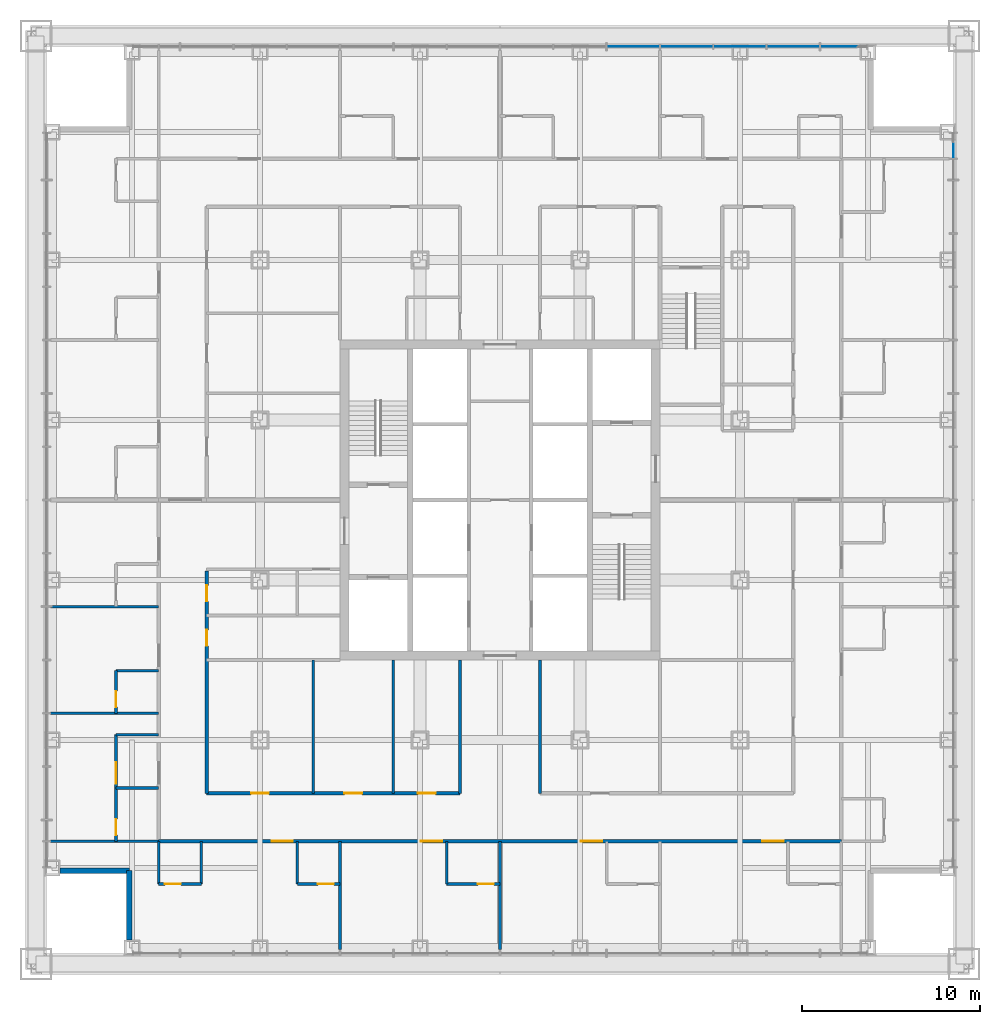
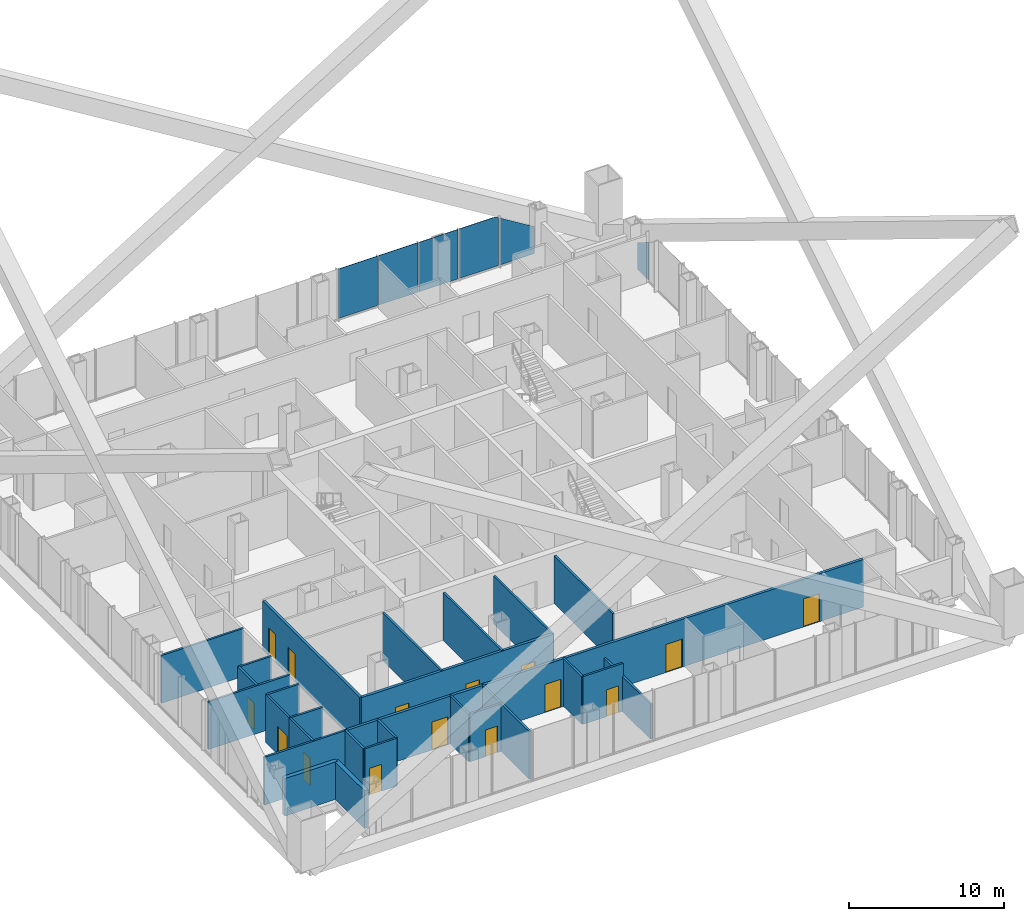
# One storey, part 12 of 21: 27 walls, 15 doors, 6 plates, 15 openings, 2 elements without a shape of their own.
"""IFC4 building model written with IfcOpenShell, lengths in metres."""

from ifc_helpers import new_model, si_unit, direction, frame, frame_2d, origin, origin_2d, place, context, subcontext, project, spatial, polyline, rectangle, outline, extrude, material, layer, layer_set, type_object, element, fill, aggregate, save


model = new_model("IFC4")

# Units and contexts
model_context = context("Model", 3, precision=1e-05, world=origin(), true_north=direction((0.0, 1.0)))
body_context = subcontext(model_context, "Body", "Model", "MODEL_VIEW")
ifc_project = project(units=[si_unit("LENGTHUNIT", "METRE"), si_unit("AREAUNIT", "SQUARE_METRE"), si_unit("VOLUMEUNIT", "CUBIC_METRE"), si_unit("PLANEANGLEUNIT", "RADIAN"), si_unit("MASSUNIT", "GRAM", prefix="KILO")], contexts=[model_context])

# Site, building, storey
site_placement = place(None, origin())
site = spatial("IfcSite", under=ifc_project, at=site_placement, CompositionType="ELEMENT")
building_placement = place(site_placement, origin())
building = spatial("IfcBuilding", under=site, at=building_placement, Name="Malebo Sky Hospital", CompositionType="ELEMENT")
storey_placement = place(building_placement, frame((0.0, 0.0, 63.0)))
storey = spatial("IfcBuildingStorey", under=building, at=storey_placement, Name="L14", CompositionType="ELEMENT", Elevation=63.0)

# Curtain wall, plates
ifc_material_1 = material(Name="Anodised aluminium, natural silver", Category="aluminium")
ifc_layer_1 = layer(ifc_material_1, 0.25)
ifc_layer_set_1 = layer_set([ifc_layer_1], Name="WARD CURTAIN WALL NORTH AND SOUTH")
curtain_wall_type_1 = type_object("IfcCurtainWallType", Name="WARD CURTAIN WALL NORTH AND SOUTH", PredefinedType="NOTDEFINED", material=ifc_layer_set_1)
curtain_wall_1_placement = place(storey_placement, origin())
curtain_wall_1 = element("IfcCurtainWall", 1, at=curtain_wall_1_placement, inside=storey, type_object=curtain_wall_type_1, Name="NS curtain wall N", PredefinedType="NOTDEFINED")
ifc_material_2 = material(Name="Clear low-iron double glazing", Category="glass")
ifc_layer_2 = layer(ifc_material_2, 0.031982421875)
ifc_layer_set_2 = layer_set([ifc_layer_2], Name="VISION PANEL CLEAR 32")
plate_type = type_object("IfcPlateType", Name="VISION PANEL CLEAR 32", PredefinedType="CURTAIN_PANEL", material=ifc_layer_set_2)
plate_1_placement = place(storey_placement, frame((67.5, 87.5, 0.10009765625), z_axis=(0.0, 0.0, 1.0), x_axis=(1.0, 0.0, 0.0)))
plate_1 = element("IfcPlate", 2, at=plate_1_placement, type_object=plate_type, Name="Panel 11", PredefinedType="CURTAIN_PANEL", context=body_context, shape_type="SweptSolid", body=[
    extrude(rectangle(XDim=2.925048828125, YDim=0.031982421875, at=origin_2d()), origin(), (0.0, 0.0, 1.0), 3.889892578125),
])
plate_2_placement = place(storey_placement, frame((70.5, 87.5, 0.10009765625), z_axis=(0.0, 0.0, 1.0), x_axis=(1.0, 0.0, 0.0)))
plate_2 = element("IfcPlate", 3, at=plate_2_placement, type_object=plate_type, Name="Panel 12", PredefinedType="CURTAIN_PANEL", context=body_context, shape_type="SweptSolid", body=[
    extrude(rectangle(XDim=2.925048828125, YDim=0.031982421875, at=origin_2d()), origin(), (0.0, 0.0, 1.0), 3.889892578125),
])
plate_3_placement = place(storey_placement, frame((73.5, 87.5, 0.10009765625), z_axis=(0.0, 0.0, 1.0), x_axis=(1.0, 0.0, 0.0)))
plate_3 = element("IfcPlate", 4, at=plate_3_placement, type_object=plate_type, Name="Panel 13", PredefinedType="CURTAIN_PANEL", context=body_context, shape_type="SweptSolid", body=[
    extrude(rectangle(XDim=2.925048828125, YDim=0.031982421875, at=origin_2d()), origin(), (0.0, 0.0, 1.0), 3.889892578125),
])
plate_4_placement = place(storey_placement, frame((76.5, 87.5, 0.10009765625), z_axis=(0.0, 0.0, 1.0), x_axis=(1.0, 0.0, 0.0)))
plate_4 = element("IfcPlate", 5, at=plate_4_placement, type_object=plate_type, Name="Panel 14", PredefinedType="CURTAIN_PANEL", context=body_context, shape_type="SweptSolid", body=[
    extrude(outline(polyline([(-1.46240234375, 0.0), (1.46240234375, 0.0), (1.46240234375, 3.7548828125), (1.2421875, 3.889892578125), (-1.46240234375, 3.889892578125), (-1.46240234375, 0.0)])), frame((0.0, 0.01611328125, 0.0), z_axis=(0.0, -1.0, 0.0), x_axis=(1.0, 0.0, 0.0)), (0.0, 0.0, 1.0), 0.031982421875),
])
plate_5_placement = place(storey_placement, frame((79.331298828125, 87.5, 0.10009765625), z_axis=(0.0, 0.0, 1.0), x_axis=(1.0, 0.0, 0.0)))
plate_5 = element("IfcPlate", 6, at=plate_5_placement, type_object=plate_type, Name="Panel 15", PredefinedType="CURTAIN_PANEL", context=body_context, shape_type="SweptSolid", body=[
    extrude(outline(polyline([(-1.293701171875, 0.0), (1.293701171875, 0.0), (1.293701171875, 2.122802734375), (-1.293701171875, 3.708984375), (-1.293701171875, 0.0)])), frame((0.0, 0.01611328125, 0.0), z_axis=(0.0, -1.0, 0.0), x_axis=(1.0, 0.0, 0.0)), (0.0, 0.0, 1.0), 0.031982421875),
])
aggregate(curtain_wall_1, [plate_1, plate_2, plate_3, plate_4, plate_5])

# Curtain wall, plate
ifc_layer_3 = layer(ifc_material_1, 0.25)
ifc_layer_set_3 = layer_set([ifc_layer_3], Name="WARD CURTAIN WALL EAST AND WEST")
curtain_wall_type_2 = type_object("IfcCurtainWallType", Name="WARD CURTAIN WALL EAST AND WEST", PredefinedType="NOTDEFINED", material=ifc_layer_set_3)
curtain_wall_2_placement = place(storey_placement, origin())
curtain_wall_2 = element("IfcCurtainWall", 7, at=curtain_wall_2_placement, inside=storey, type_object=curtain_wall_type_2, Name="EW curtain wall E", PredefinedType="NOTDEFINED")
plate_6_placement = place(storey_placement, frame((85.5, 81.93115234375, 0.10009765625), z_axis=(0.0, 0.0, 1.0), x_axis=(0.0, -1.0, 0.0)))
plate_6 = element("IfcPlate", 8, at=plate_6_placement, type_object=plate_type, Name="Panel 1", PredefinedType="CURTAIN_PANEL", context=body_context, shape_type="SweptSolid", body=[
    extrude(outline(polyline([(-0.693603515625, 0.0), (0.693603515625, 0.0), (0.693603515625, 2.973388671875), (-0.693603515625, 2.122802734375), (-0.693603515625, 0.0)])), frame((0.0, 0.01611328125, 0.0), z_axis=(0.0, -1.0, 0.0), x_axis=(1.0, 0.0, 0.0)), (0.0, 0.0, 1.0), 0.031982421875),
])
aggregate(curtain_wall_2, [plate_6])

# Wall, openings, doors
ifc_material_3 = material(Name="Gypsum board on steel studs", Category="steel")
ifc_layer_4 = layer(ifc_material_3, 0.199951171875)
ifc_layer_set_4 = layer_set([ifc_layer_4], Name="CORRIDOR WALL 200")
wall_type_1 = type_object("IfcWallType", Name="CORRIDOR WALL 200", PredefinedType="PARTITIONING", material=ifc_layer_set_4)
wall_1_placement = place(storey_placement, frame((43.5, 45.5, 0.0), z_axis=(0.0, 0.0, 1.0), x_axis=(0.0, 1.0, 0.0)))
wall_1 = element("IfcWall", 9, at=wall_1_placement, inside=storey, type_object=wall_type_1, Name="Corridor Wall 200 WCI1", PredefinedType="PARTITIONING", context=body_context, shape_type="SweptSolid", body=[
    extrude(rectangle(XDim=12.5, YDim=0.199951171875, at=frame_2d((6.25, 0.0))), origin(), (0.0, 0.0, 1.0), 3.75),
])
opening_1_placement = place(wall_1_placement, frame((8.300048828125, 0.0, 0.0)))
opening_1 = element("IfcOpeningElement", 10, at=opening_1_placement, cuts=wall_1, Name="Opening D04", PredefinedType="OPENING", context=body_context, shape_type="SweptSolid", body=[
    extrude(rectangle(XDim=0.89990234375, YDim=2.10009765625, at=frame_2d((0.449951171875, 1.050048828125))), frame((0.0, 0.10986328125, 0.0), z_axis=(0.0, -1.0, 0.0), x_axis=(1.0, 0.0, 0.0)), (0.0, 0.0, 1.0), 0.219970703125),
])
opening_2_placement = place(wall_1_placement, frame((10.800048828125, 0.0, 0.0)))
opening_2 = element("IfcOpeningElement", 11, at=opening_2_placement, cuts=wall_1, Name="Opening D04", PredefinedType="OPENING", context=body_context, shape_type="SweptSolid", body=[
    extrude(rectangle(XDim=0.89990234375, YDim=2.10009765625, at=frame_2d((0.449951171875, 1.050048828125))), frame((0.0, 0.10986328125, 0.0), z_axis=(0.0, -1.0, 0.0), x_axis=(1.0, 0.0, 0.0)), (0.0, 0.0, 1.0), 0.219970703125),
])
ifc_material_4 = material(Name="Hardwood-faced door leaf in steel frame", Category="steel")
door_type_1 = type_object("IfcDoorType", Name="ROOM DOOR 900", OperationType="SINGLE_SWING_LEFT", PredefinedType="DOOR", material=ifc_material_4)
door_1_placement = place(opening_1_placement, origin())
door_1 = element("IfcDoor", 12, at=door_1_placement, inside=storey, type_object=door_type_1, Name="Ward office door", OperationType="SINGLE_SWING_LEFT", OverallHeight=2.10009765625, OverallWidth=0.89990234375, PredefinedType="DOOR", context=body_context, shape_type="SweptSolid", body=[
    extrude(rectangle(XDim=0.89990234375, YDim=2.10009765625, at=frame_2d((0.449951171875, 1.050048828125))), frame((0.0, 0.02490234375, 0.0), z_axis=(0.0, -1.0, 0.0), x_axis=(1.0, 0.0, 0.0)), (0.0, 0.0, 1.0), 0.050048828125),
])
fill(opening_1, door_1)
door_2_placement = place(opening_2_placement, origin())
door_2 = element("IfcDoor", 13, at=door_2_placement, inside=storey, type_object=door_type_1, Name="Linen store door", OperationType="SINGLE_SWING_LEFT", OverallHeight=2.10009765625, OverallWidth=0.89990234375, PredefinedType="DOOR", context=body_context, shape_type="SweptSolid", body=[
    extrude(rectangle(XDim=0.89990234375, YDim=2.10009765625, at=frame_2d((0.449951171875, 1.050048828125))), frame((0.0, 0.02490234375, 0.0), z_axis=(0.0, -1.0, 0.0), x_axis=(1.0, 0.0, 0.0)), (0.0, 0.0, 1.0), 0.050048828125),
])
fill(opening_2, door_2)

wall_2_placement = place(storey_placement, frame((79.199951171875, 42.800048828125, 0.0), z_axis=(0.0, 0.0, 1.0), x_axis=(-1.0, 0.0, 0.0)))
wall_2 = element("IfcWall", 14, at=wall_2_placement, inside=storey, type_object=wall_type_1, Name="Corridor Wall 200 SCO", PredefinedType="PARTITIONING", context=body_context, shape_type="SweptSolid", body=[
    extrude(rectangle(XDim=38.39990234375, YDim=0.199951171875, at=frame_2d((19.199951171875, 0.0))), origin(), (0.0, 0.0, 1.0), 3.75),
])
opening_3_placement = place(wall_2_placement, frame((3.25, 0.0, 0.0)))
opening_3 = element("IfcOpeningElement", 15, at=opening_3_placement, cuts=wall_2, Name="Opening D01", PredefinedType="OPENING", context=body_context, shape_type="SweptSolid", body=[
    extrude(rectangle(XDim=1.199951171875, YDim=2.199951171875, at=frame_2d((0.60009765625, 1.10009765625))), frame((0.0, 0.10986328125, 0.0), z_axis=(0.0, -1.0, 0.0), x_axis=(1.0, 0.0, 0.0)), (0.0, 0.0, 1.0), 0.219970703125),
])
opening_4_placement = place(wall_2_placement, frame((13.449951171875, 0.0, 0.0)))
opening_4 = element("IfcOpeningElement", 16, at=opening_4_placement, cuts=wall_2, Name="Opening D01", PredefinedType="OPENING", context=body_context, shape_type="SweptSolid", body=[
    extrude(rectangle(XDim=1.199951171875, YDim=2.199951171875, at=frame_2d((0.60009765625, 1.10009765625))), frame((0.0, 0.10986328125, 0.0), z_axis=(0.0, -1.0, 0.0), x_axis=(1.0, 0.0, 0.0)), (0.0, 0.0, 1.0), 0.219970703125),
])
opening_5_placement = place(wall_2_placement, frame((22.449951171875, 0.0, 0.0)))
opening_5 = element("IfcOpeningElement", 17, at=opening_5_placement, cuts=wall_2, Name="Opening D01", PredefinedType="OPENING", context=body_context, shape_type="SweptSolid", body=[
    extrude(rectangle(XDim=1.199951171875, YDim=2.199951171875, at=frame_2d((0.60009765625, 1.10009765625))), frame((0.0, 0.10986328125, 0.0), z_axis=(0.0, -1.0, 0.0), x_axis=(1.0, 0.0, 0.0)), (0.0, 0.0, 1.0), 0.219970703125),
])
opening_6_placement = place(wall_2_placement, frame((30.85009765625, 0.0, 0.0)))
opening_6 = element("IfcOpeningElement", 18, at=opening_6_placement, cuts=wall_2, Name="Opening D01", PredefinedType="OPENING", context=body_context, shape_type="SweptSolid", body=[
    extrude(rectangle(XDim=1.199951171875, YDim=2.199951171875, at=frame_2d((0.60009765625, 1.10009765625))), frame((0.0, 0.10986328125, 0.0), z_axis=(0.0, -1.0, 0.0), x_axis=(1.0, 0.0, 0.0)), (0.0, 0.0, 1.0), 0.219970703125),
])
door_type_2 = type_object("IfcDoorType", Name="BED DOOR 1200", OperationType="SINGLE_SWING_LEFT", PredefinedType="DOOR", material=ifc_material_4)
door_3_placement = place(opening_3_placement, origin())
door_3 = element("IfcDoor", 19, at=door_3_placement, inside=storey, type_object=door_type_2, Name="Two-bed room door", OperationType="SINGLE_SWING_LEFT", OverallHeight=2.199951171875, OverallWidth=1.199951171875, PredefinedType="DOOR", context=body_context, shape_type="SweptSolid", body=[
    extrude(rectangle(XDim=1.199951171875, YDim=2.199951171875, at=frame_2d((0.60009765625, 1.10009765625))), frame((0.0, 0.02490234375, 0.0), z_axis=(0.0, -1.0, 0.0), x_axis=(1.0, 0.0, 0.0)), (0.0, 0.0, 1.0), 0.050048828125),
])
fill(opening_3, door_3)
door_4_placement = place(opening_4_placement, origin())
door_4 = element("IfcDoor", 20, at=door_4_placement, inside=storey, type_object=door_type_2, Name="Two-bed room door", OperationType="SINGLE_SWING_LEFT", OverallHeight=2.199951171875, OverallWidth=1.199951171875, PredefinedType="DOOR", context=body_context, shape_type="SweptSolid", body=[
    extrude(rectangle(XDim=1.199951171875, YDim=2.199951171875, at=frame_2d((0.60009765625, 1.10009765625))), frame((0.0, 0.02490234375, 0.0), z_axis=(0.0, -1.0, 0.0), x_axis=(1.0, 0.0, 0.0)), (0.0, 0.0, 1.0), 0.050048828125),
])
fill(opening_4, door_4)
door_5_placement = place(opening_5_placement, origin())
door_5 = element("IfcDoor", 21, at=door_5_placement, inside=storey, type_object=door_type_2, Name="Two-bed room door", OperationType="SINGLE_SWING_LEFT", OverallHeight=2.199951171875, OverallWidth=1.199951171875, PredefinedType="DOOR", context=body_context, shape_type="SweptSolid", body=[
    extrude(rectangle(XDim=1.199951171875, YDim=2.199951171875, at=frame_2d((0.60009765625, 1.10009765625))), frame((0.0, 0.02490234375, 0.0), z_axis=(0.0, -1.0, 0.0), x_axis=(1.0, 0.0, 0.0)), (0.0, 0.0, 1.0), 0.050048828125),
])
fill(opening_5, door_5)
door_6_placement = place(opening_6_placement, origin())
door_6 = element("IfcDoor", 22, at=door_6_placement, inside=storey, type_object=door_type_2, Name="Four-bed bay door", OperationType="SINGLE_SWING_LEFT", OverallHeight=2.199951171875, OverallWidth=1.199951171875, PredefinedType="DOOR", context=body_context, shape_type="SweptSolid", body=[
    extrude(rectangle(XDim=1.199951171875, YDim=2.199951171875, at=frame_2d((0.60009765625, 1.10009765625))), frame((0.0, 0.02490234375, 0.0), z_axis=(0.0, -1.0, 0.0), x_axis=(1.0, 0.0, 0.0)), (0.0, 0.0, 1.0), 0.050048828125),
])
fill(opening_6, door_6)

wall_3_placement = place(storey_placement, frame((57.75, 45.5, 0.0), z_axis=(0.0, 0.0, 1.0), x_axis=(-1.0, 0.0, 0.0)))
wall_3 = element("IfcWall", 23, at=wall_3_placement, inside=storey, type_object=wall_type_1, Name="Corridor Wall 200 SCI2", PredefinedType="PARTITIONING", context=body_context, shape_type="SweptSolid", body=[
    extrude(rectangle(XDim=14.25, YDim=0.199951171875, at=frame_2d((7.125, 0.0))), origin(), (0.0, 0.0, 1.0), 3.75),
])
opening_7_placement = place(wall_3_placement, frame((1.375, 0.0, 0.0)))
opening_7 = element("IfcOpeningElement", 24, at=opening_7_placement, cuts=wall_3, Name="Opening D03", PredefinedType="OPENING", context=body_context, shape_type="SweptSolid", body=[
    extrude(rectangle(XDim=1.0, YDim=2.10009765625, at=frame_2d((0.5, 1.050048828125))), frame((0.0, 0.10986328125, 0.0), z_axis=(0.0, -1.0, 0.0), x_axis=(1.0, 0.0, 0.0)), (0.0, 0.0, 1.0), 0.219970703125),
])
opening_8_placement = place(wall_3_placement, frame((5.5, 0.0, 0.0)))
opening_8 = element("IfcOpeningElement", 25, at=opening_8_placement, cuts=wall_3, Name="Opening D03", PredefinedType="OPENING", context=body_context, shape_type="SweptSolid", body=[
    extrude(rectangle(XDim=1.0, YDim=2.10009765625, at=frame_2d((0.5, 1.050048828125))), frame((0.0, 0.10986328125, 0.0), z_axis=(0.0, -1.0, 0.0), x_axis=(1.0, 0.0, 0.0)), (0.0, 0.0, 1.0), 0.219970703125),
])
opening_9_placement = place(wall_3_placement, frame((10.75, 0.0, 0.0)))
opening_9 = element("IfcOpeningElement", 26, at=opening_9_placement, cuts=wall_3, Name="Opening D03", PredefinedType="OPENING", context=body_context, shape_type="SweptSolid", body=[
    extrude(rectangle(XDim=1.0, YDim=2.10009765625, at=frame_2d((0.5, 1.050048828125))), frame((0.0, 0.10986328125, 0.0), z_axis=(0.0, -1.0, 0.0), x_axis=(1.0, 0.0, 0.0)), (0.0, 0.0, 1.0), 0.219970703125),
])
door_type_3 = type_object("IfcDoorType", Name="ROOM DOOR 1000", OperationType="SINGLE_SWING_LEFT", PredefinedType="DOOR", material=ifc_material_4)
door_7_placement = place(opening_7_placement, origin())
door_7 = element("IfcDoor", 27, at=door_7_placement, inside=storey, type_object=door_type_3, Name="Dirty utility room door", OperationType="SINGLE_SWING_LEFT", OverallHeight=2.10009765625, OverallWidth=1.0, PredefinedType="DOOR", context=body_context, shape_type="SweptSolid", body=[
    extrude(rectangle(XDim=1.0, YDim=2.10009765625, at=frame_2d((0.5, 1.050048828125))), frame((0.0, 0.02490234375, 0.0), z_axis=(0.0, -1.0, 0.0), x_axis=(1.0, 0.0, 0.0)), (0.0, 0.0, 1.0), 0.050048828125),
])
fill(opening_7, door_7)
door_8_placement = place(opening_8_placement, origin())
door_8 = element("IfcDoor", 28, at=door_8_placement, inside=storey, type_object=door_type_3, Name="Traction equipment store door", OperationType="SINGLE_SWING_LEFT", OverallHeight=2.10009765625, OverallWidth=1.0, PredefinedType="DOOR", context=body_context, shape_type="SweptSolid", body=[
    extrude(rectangle(XDim=1.0, YDim=2.10009765625, at=frame_2d((0.5, 1.050048828125))), frame((0.0, 0.02490234375, 0.0), z_axis=(0.0, -1.0, 0.0), x_axis=(1.0, 0.0, 0.0)), (0.0, 0.0, 1.0), 0.050048828125),
])
fill(opening_8, door_8)
door_9_placement = place(opening_9_placement, origin())
door_9 = element("IfcDoor", 29, at=door_9_placement, inside=storey, type_object=door_type_3, Name="Staff base door", OperationType="SINGLE_SWING_RIGHT", OverallHeight=2.10009765625, OverallWidth=1.0, PredefinedType="DOOR", context=body_context, shape_type="SweptSolid", body=[
    extrude(rectangle(XDim=1.0, YDim=2.10009765625, at=frame_2d((0.5, 1.050048828125))), frame((0.0, 0.02490234375, 0.0), z_axis=(0.0, -1.0, 0.0), x_axis=(1.0, 0.0, 0.0)), (0.0, 0.0, 1.0), 0.050048828125),
])
fill(opening_9, door_9)

# Walls
ifc_material_5 = material(Name="Anodised aluminium rainscreen on steel framing", Category="steel")
ifc_layer_5 = layer(ifc_material_5, 0.300048828125)
ifc_layer_set_5 = layer_set([ifc_layer_5], Name="NOTCH RAINSCREEN WALL 300")
wall_type_2 = type_object("IfcWallType", Name="NOTCH RAINSCREEN WALL 300", PredefinedType="ELEMENTEDWALL", material=ifc_layer_set_5)
for number, where, z_axis, x_axis, name in (
    (30, (39.14990234375, 37.25, 0.0), (0.0, 0.0, 1.0), (0.0, 1.0, 0.0), "Notch rainscreen wall S1 L14"),
    (31, (39.14990234375, 41.14990234375, 0.0), (0.0, 0.0, 1.0), (-1.0, 0.0, 0.0), "Notch rainscreen wall S2 L14"),
):
    element("IfcWall", number, at=place(storey_placement, frame(where, z_axis=z_axis, x_axis=x_axis)), inside=storey, type_object=wall_type_2, Name=name, PredefinedType="ELEMENTEDWALL", context=body_context, shape_type="SweptSolid", body=[
        extrude(rectangle(XDim=3.89990234375, YDim=0.300048828125, at=frame_2d((1.949951171875, 0.0))), origin(), (0.0, 0.0, 1.0), 2.949951171875),
    ])
ifc_layer_6 = layer(ifc_material_3, 0.14990234375)
ifc_layer_set_6 = layer_set([ifc_layer_6], Name="PARTITION 150")
wall_type_3 = type_object("IfcWallType", Name="PARTITION 150", PredefinedType="PARTITIONING", material=ifc_layer_set_6)
for number, where, z_axis, x_axis, name in (
    (32, (40.800048828125, 50.0, 0.0), (0.0, 0.0, 1.0), (-1.0, 0.0, 0.0), "Partition 150 WP-12.0"),
    (33, (40.800048828125, 56.0, 0.0), (0.0, 0.0, 1.0), (-1.0, 0.0, 0.0), "Partition 150 WP-6.0"),
    (34, (40.800048828125, 42.800048828125, 0.0), (0.0, 0.0, 1.0), (-1.0, 0.0, 0.0), "Partition 150 WP0"),
):
    element("IfcWall", number, at=place(storey_placement, frame(where, z_axis=z_axis, x_axis=x_axis)), inside=storey, type_object=wall_type_3, Name=name, PredefinedType="PARTITIONING", context=body_context, shape_type="SweptSolid", body=[
        extrude(rectangle(XDim=6.074951171875, YDim=0.14990234375, at=frame_2d((3.03759765625, 0.0))), origin(), (0.0, 0.0, 1.0), 3.75),
    ])

# Wall, opening, door
wall_4_placement = place(storey_placement, frame((38.39990234375, 42.800048828125, 0.0), z_axis=(0.0, 0.0, 1.0), x_axis=(0.0, 1.0, 0.0)))
wall_4 = element("IfcWall", 35, at=wall_4_placement, inside=storey, type_object=wall_type_3, Name="Partition 150 WE0F", PredefinedType="PARTITIONING", context=body_context, shape_type="SweptSolid", body=[
    extrude(rectangle(XDim=3.0, YDim=0.14990234375, at=frame_2d((1.5, 0.0))), origin(), (0.0, 0.0, 1.0), 3.75),
])
opening_10_placement = place(wall_4_placement, frame((0.35009765625, 0.0, 0.0)))
opening_10 = element("IfcOpeningElement", 36, at=opening_10_placement, cuts=wall_4, Name="Opening D02", PredefinedType="OPENING", context=body_context, shape_type="SweptSolid", body=[
    extrude(rectangle(XDim=0.89990234375, YDim=2.10009765625, at=frame_2d((0.449951171875, 1.050048828125))), frame((0.0, 0.0849609375, 0.0), z_axis=(0.0, -1.0, 0.0), x_axis=(1.0, 0.0, 0.0)), (0.0, 0.0, 1.0), 0.169921875),
])
door_type_4 = type_object("IfcDoorType", Name="EN-SUITE DOOR 900", OperationType="SINGLE_SWING_LEFT", PredefinedType="DOOR", material=ifc_material_4)
door_10_placement = place(opening_10_placement, origin())
door_10 = element("IfcDoor", 37, at=door_10_placement, inside=storey, type_object=door_type_4, Name="En-suite door", OperationType="SINGLE_SWING_LEFT", OverallHeight=2.10009765625, OverallWidth=0.89990234375, PredefinedType="DOOR", context=body_context, shape_type="SweptSolid", body=[
    extrude(rectangle(XDim=0.89990234375, YDim=2.10009765625, at=frame_2d((0.449951171875, 1.050048828125))), frame((0.0, 0.02490234375, 0.0), z_axis=(0.0, -1.0, 0.0), x_axis=(1.0, 0.0, 0.0)), (0.0, 0.0, 1.0), 0.050048828125),
])
fill(opening_10, door_10)

# Wall
wall_5_placement = place(storey_placement, frame((40.800048828125, 45.800048828125, 0.0), z_axis=(0.0, 0.0, 1.0), x_axis=(-1.0, 0.0, 0.0)))
element("IfcWall", 38, at=wall_5_placement, inside=storey, type_object=wall_type_3, Name="Partition 150 WE0S", PredefinedType="PARTITIONING", context=body_context, shape_type="SweptSolid", body=[
    extrude(rectangle(XDim=2.400146484375, YDim=0.14990234375, at=frame_2d((1.2001953125, 0.0))), origin(), (0.0, 0.0, 1.0), 3.75),
])

# Wall, opening, door
wall_6_placement = place(storey_placement, frame((38.39990234375, 50.0, 0.0), z_axis=(0.0, 0.0, 1.0), x_axis=(0.0, 1.0, 0.0)))
wall_6 = element("IfcWall", 39, at=wall_6_placement, inside=storey, type_object=wall_type_3, Name="Partition 150 WE1F", PredefinedType="PARTITIONING", context=body_context, shape_type="SweptSolid", body=[
    extrude(rectangle(XDim=2.39990234375, YDim=0.14990234375, at=frame_2d((1.199951171875, 0.0))), origin(), (0.0, 0.0, 1.0), 3.75),
])
opening_11_placement = place(wall_6_placement, frame((0.35009765625, 0.0, 0.0)))
opening_11 = element("IfcOpeningElement", 40, at=opening_11_placement, cuts=wall_6, Name="Opening D02", PredefinedType="OPENING", context=body_context, shape_type="SweptSolid", body=[
    extrude(rectangle(XDim=0.89990234375, YDim=2.10009765625, at=frame_2d((0.449951171875, 1.050048828125))), frame((0.0, 0.0849609375, 0.0), z_axis=(0.0, -1.0, 0.0), x_axis=(1.0, 0.0, 0.0)), (0.0, 0.0, 1.0), 0.169921875),
])
door_11_placement = place(opening_11_placement, origin())
door_11 = element("IfcDoor", 41, at=door_11_placement, inside=storey, type_object=door_type_4, Name="En-suite door", OperationType="SINGLE_SWING_LEFT", OverallHeight=2.10009765625, OverallWidth=0.89990234375, PredefinedType="DOOR", context=body_context, shape_type="SweptSolid", body=[
    extrude(rectangle(XDim=0.89990234375, YDim=2.10009765625, at=frame_2d((0.449951171875, 1.050048828125))), frame((0.0, 0.02490234375, 0.0), z_axis=(0.0, -1.0, 0.0), x_axis=(1.0, 0.0, 0.0)), (0.0, 0.0, 1.0), 0.050048828125),
])
fill(opening_11, door_11)

# Walls
wall_7_placement = place(storey_placement, frame((40.800048828125, 52.39990234375, 0.0), z_axis=(0.0, 0.0, 1.0), x_axis=(-1.0, 0.0, 0.0)))
element("IfcWall", 42, at=wall_7_placement, inside=storey, type_object=wall_type_3, Name="Partition 150 WE1S", PredefinedType="PARTITIONING", context=body_context, shape_type="SweptSolid", body=[
    extrude(rectangle(XDim=2.400146484375, YDim=0.14990234375, at=frame_2d((1.2001953125, 0.0))), origin(), (0.0, 0.0, 1.0), 3.75),
])
wall_8_placement = place(storey_placement, frame((60.0, 42.800048828125, 0.0), z_axis=(0.0, 0.0, 1.0), x_axis=(0.0, -1.0, 0.0)))
element("IfcWall", 43, at=wall_8_placement, inside=storey, type_object=wall_type_3, Name="Partition 150 SP+0.0", PredefinedType="PARTITIONING", context=body_context, shape_type="SweptSolid", body=[
    extrude(rectangle(XDim=6.074951171875, YDim=0.14990234375, at=frame_2d((3.03759765625, 0.0))), origin(), (0.0, 0.0, 1.0), 2.75),
])
wall_9_placement = place(storey_placement, frame((51.0, 42.800048828125, 0.0), z_axis=(0.0, 0.0, 1.0), x_axis=(0.0, -1.0, 0.0)))
element("IfcWall", 44, at=wall_9_placement, inside=storey, type_object=wall_type_3, Name="Partition 150 SP+9.0", PredefinedType="PARTITIONING", context=body_context, shape_type="SweptSolid", body=[
    extrude(rectangle(XDim=6.074951171875, YDim=0.14990234375, at=frame_2d((3.03759765625, 0.0))), origin(), (0.0, 0.0, 1.0), 3.75),
])

# Wall, opening, door
wall_10_placement = place(storey_placement, frame((60.0, 40.39990234375, 0.0), z_axis=(0.0, 0.0, 1.0), x_axis=(-1.0, 0.0, 0.0)))
wall_10 = element("IfcWall", 45, at=wall_10_placement, inside=storey, type_object=wall_type_3, Name="Partition 150 SE2F", PredefinedType="PARTITIONING", context=body_context, shape_type="SweptSolid", body=[
    extrude(rectangle(XDim=3.0, YDim=0.14990234375, at=frame_2d((1.5, 0.0))), origin(), (0.0, 0.0, 1.0), 3.75),
])
opening_12_placement = place(wall_10_placement, frame((0.35009765625, 0.0, 0.0)))
opening_12 = element("IfcOpeningElement", 46, at=opening_12_placement, cuts=wall_10, Name="Opening D02", PredefinedType="OPENING", context=body_context, shape_type="SweptSolid", body=[
    extrude(rectangle(XDim=0.89990234375, YDim=2.10009765625, at=frame_2d((0.449951171875, 1.050048828125))), frame((0.0, 0.0849609375, 0.0), z_axis=(0.0, -1.0, 0.0), x_axis=(1.0, 0.0, 0.0)), (0.0, 0.0, 1.0), 0.169921875),
])
door_12_placement = place(opening_12_placement, origin())
door_12 = element("IfcDoor", 47, at=door_12_placement, inside=storey, type_object=door_type_4, Name="En-suite door", OperationType="SINGLE_SWING_LEFT", OverallHeight=2.10009765625, OverallWidth=0.89990234375, PredefinedType="DOOR", context=body_context, shape_type="SweptSolid", body=[
    extrude(rectangle(XDim=0.89990234375, YDim=2.10009765625, at=frame_2d((0.449951171875, 1.050048828125))), frame((0.0, 0.02490234375, 0.0), z_axis=(0.0, -1.0, 0.0), x_axis=(1.0, 0.0, 0.0)), (0.0, 0.0, 1.0), 0.050048828125),
])
fill(opening_12, door_12)

# Wall
wall_11_placement = place(storey_placement, frame((57.0, 42.800048828125, 0.0), z_axis=(0.0, 0.0, 1.0), x_axis=(0.0, -1.0, 0.0)))
element("IfcWall", 48, at=wall_11_placement, inside=storey, type_object=wall_type_3, Name="Partition 150 SE2S", PredefinedType="PARTITIONING", context=body_context, shape_type="SweptSolid", body=[
    extrude(rectangle(XDim=2.400146484375, YDim=0.14990234375, at=frame_2d((1.2001953125, 0.0))), origin(), (0.0, 0.0, 1.0), 3.75),
])

# Wall, opening, door
wall_12_placement = place(storey_placement, frame((51.0, 40.39990234375, 0.0), z_axis=(0.0, 0.0, 1.0), x_axis=(-1.0, 0.0, 0.0)))
wall_12 = element("IfcWall", 49, at=wall_12_placement, inside=storey, type_object=wall_type_3, Name="Partition 150 SE3F", PredefinedType="PARTITIONING", context=body_context, shape_type="SweptSolid", body=[
    extrude(rectangle(XDim=2.39990234375, YDim=0.14990234375, at=frame_2d((1.199951171875, 0.0))), origin(), (0.0, 0.0, 1.0), 3.75),
])
opening_13_placement = place(wall_12_placement, frame((0.35009765625, 0.0, 0.0)))
opening_13 = element("IfcOpeningElement", 50, at=opening_13_placement, cuts=wall_12, Name="Opening D02", PredefinedType="OPENING", context=body_context, shape_type="SweptSolid", body=[
    extrude(rectangle(XDim=0.89990234375, YDim=2.10009765625, at=frame_2d((0.449951171875, 1.050048828125))), frame((0.0, 0.0849609375, 0.0), z_axis=(0.0, -1.0, 0.0), x_axis=(1.0, 0.0, 0.0)), (0.0, 0.0, 1.0), 0.169921875),
])
door_13_placement = place(opening_13_placement, origin())
door_13 = element("IfcDoor", 51, at=door_13_placement, inside=storey, type_object=door_type_4, Name="En-suite door", OperationType="SINGLE_SWING_LEFT", OverallHeight=2.10009765625, OverallWidth=0.89990234375, PredefinedType="DOOR", context=body_context, shape_type="SweptSolid", body=[
    extrude(rectangle(XDim=0.89990234375, YDim=2.10009765625, at=frame_2d((0.449951171875, 1.050048828125))), frame((0.0, 0.02490234375, 0.0), z_axis=(0.0, -1.0, 0.0), x_axis=(1.0, 0.0, 0.0)), (0.0, 0.0, 1.0), 0.050048828125),
])
fill(opening_13, door_13)

# Wall
wall_13_placement = place(storey_placement, frame((48.60009765625, 42.800048828125, 0.0), z_axis=(0.0, 0.0, 1.0), x_axis=(0.0, -1.0, 0.0)))
element("IfcWall", 52, at=wall_13_placement, inside=storey, type_object=wall_type_3, Name="Partition 150 SE3S", PredefinedType="PARTITIONING", context=body_context, shape_type="SweptSolid", body=[
    extrude(rectangle(XDim=2.400146484375, YDim=0.14990234375, at=frame_2d((1.2001953125, 0.0))), origin(), (0.0, 0.0, 1.0), 3.75),
])

# Wall, opening, door
wall_14_placement = place(storey_placement, frame((43.199951171875, 40.39990234375, 0.0), z_axis=(0.0, 0.0, 1.0), x_axis=(-1.0, 0.0, 0.0)))
wall_14 = element("IfcWall", 53, at=wall_14_placement, inside=storey, type_object=wall_type_3, Name="Partition 150 SG3F", PredefinedType="PARTITIONING", context=body_context, shape_type="SweptSolid", body=[
    extrude(rectangle(XDim=2.39990234375, YDim=0.14990234375, at=frame_2d((1.199951171875, 0.0))), origin(), (0.0, 0.0, 1.0), 3.75),
])
opening_14_placement = place(wall_14_placement, frame((1.14990234375, 0.0, 0.0)))
opening_14 = element("IfcOpeningElement", 54, at=opening_14_placement, cuts=wall_14, Name="Opening D02", PredefinedType="OPENING", context=body_context, shape_type="SweptSolid", body=[
    extrude(rectangle(XDim=0.89990234375, YDim=2.10009765625, at=frame_2d((0.449951171875, 1.050048828125))), frame((0.0, 0.0849609375, 0.0), z_axis=(0.0, -1.0, 0.0), x_axis=(1.0, 0.0, 0.0)), (0.0, 0.0, 1.0), 0.169921875),
])
door_14_placement = place(opening_14_placement, origin())
door_14 = element("IfcDoor", 55, at=door_14_placement, inside=storey, type_object=door_type_4, Name="En-suite door", OperationType="SINGLE_SWING_RIGHT", OverallHeight=2.10009765625, OverallWidth=0.89990234375, PredefinedType="DOOR", context=body_context, shape_type="SweptSolid", body=[
    extrude(rectangle(XDim=0.89990234375, YDim=2.10009765625, at=frame_2d((0.449951171875, 1.050048828125))), frame((0.0, 0.02490234375, 0.0), z_axis=(0.0, -1.0, 0.0), x_axis=(1.0, 0.0, 0.0)), (0.0, 0.0, 1.0), 0.050048828125),
])
fill(opening_14, door_14)

# Walls
for number, where, z_axis, x_axis, name in (
    (56, (43.199951171875, 42.800048828125, 0.0), (0.0, 0.0, 1.0), (0.0, -1.0, 0.0), "Partition 150 SG3S"),
    (57, (40.800048828125, 42.800048828125, 0.0), (0.0, 0.0, 1.0), (0.0, -1.0, 0.0), "Partition 150 SEZ"),
):
    element("IfcWall", number, at=place(storey_placement, frame(where, z_axis=z_axis, x_axis=x_axis)), inside=storey, type_object=wall_type_3, Name=name, PredefinedType="PARTITIONING", context=body_context, shape_type="SweptSolid", body=[
        extrude(rectangle(XDim=2.400146484375, YDim=0.14990234375, at=frame_2d((1.2001953125, 0.0))), origin(), (0.0, 0.0, 1.0), 3.75),
    ])
for number, where, z_axis, x_axis, name in (
    (58, (62.25, 53.0, 0.0), (0.0, 0.0, 1.0), (0.0, -1.0, 0.0), "Partition 150 SSPA"),
    (59, (57.75, 53.0, 0.0), (0.0, 0.0, 1.0), (0.0, -1.0, 0.0), "Partition 150 SSPB"),
    (60, (54.0, 53.0, 0.0), (0.0, 0.0, 1.0), (0.0, -1.0, 0.0), "Partition 150 SSP+6.0"),
    (61, (49.5, 53.0, 0.0), (0.0, 0.0, 1.0), (0.0, -1.0, 0.0), "Partition 150 SSP+10.5"),
):
    element("IfcWall", number, at=place(storey_placement, frame(where, z_axis=z_axis, x_axis=x_axis)), inside=storey, type_object=wall_type_3, Name=name, PredefinedType="PARTITIONING", context=body_context, shape_type="SweptSolid", body=[
        extrude(rectangle(XDim=7.5, YDim=0.14990234375, at=frame_2d((3.75, 0.0))), origin(), (0.0, 0.0, 1.0), 3.75),
    ])

# Wall, opening, door
ifc_material_6 = material(Name="Sealed gypsum board on steel studs, taped to the slab", Category="steel")
ifc_layer_7 = layer(ifc_material_6, 0.14990234375)
ifc_layer_set_7 = layer_set([ifc_layer_7], Name="SEALED ISOLATION PARTITION 150")
wall_type_4 = type_object("IfcWallType", Name="SEALED ISOLATION PARTITION 150", PredefinedType="PARTITIONING", material=ifc_layer_set_7)
wall_15_placement = place(storey_placement, frame((38.39990234375, 45.800048828125, 0.0), z_axis=(0.0, 0.0, 1.0), x_axis=(0.0, 1.0, 0.0)))
wall_15 = element("IfcWall", 62, at=wall_15_placement, inside=storey, type_object=wall_type_4, Name="Sealed Isolation Partition 150 WA0F", PredefinedType="PARTITIONING", context=body_context, shape_type="SweptSolid", body=[
    extrude(rectangle(XDim=3.0, YDim=0.14990234375, at=frame_2d((1.5, 0.0))), origin(), (0.0, 0.0, 1.0), 3.75),
])
opening_15_placement = place(wall_15_placement, frame((0.25, 0.0, 0.0)))
opening_15 = element("IfcOpeningElement", 63, at=opening_15_placement, cuts=wall_15, Name="Opening D19", PredefinedType="OPENING", context=body_context, shape_type="SweptSolid", body=[
    extrude(rectangle(XDim=1.199951171875, YDim=2.199951171875, at=frame_2d((0.60009765625, 1.10009765625))), frame((0.0, 0.0849609375, 0.0), z_axis=(0.0, -1.0, 0.0), x_axis=(1.0, 0.0, 0.0)), (0.0, 0.0, 1.0), 0.169921875),
])
ifc_material_7 = material(Name="Hardwood-faced door leaf with perimeter seals in steel frame", Category="steel")
door_type_5 = type_object("IfcDoorType", Name="SEALED ISOLATION ROOM DOOR 1200", OperationType="SINGLE_SWING_LEFT", PredefinedType="DOOR", material=ifc_material_7)
door_15_placement = place(opening_15_placement, origin())
door_15 = element("IfcDoor", 64, at=door_15_placement, inside=storey, type_object=door_type_5, Name="Isolation room door", OperationType="SINGLE_SWING_LEFT", OverallHeight=2.199951171875, OverallWidth=1.199951171875, PredefinedType="DOOR", context=body_context, shape_type="SweptSolid", body=[
    extrude(rectangle(XDim=1.199951171875, YDim=2.199951171875, at=frame_2d((0.60009765625, 1.10009765625))), frame((0.0, 0.02490234375, 0.0), z_axis=(0.0, -1.0, 0.0), x_axis=(1.0, 0.0, 0.0)), (0.0, 0.0, 1.0), 0.050048828125),
])
fill(opening_15, door_15)

# Wall
wall_16_placement = place(storey_placement, frame((40.800048828125, 48.800048828125, 0.0), z_axis=(0.0, 0.0, 1.0), x_axis=(-1.0, 0.0, 0.0)))
element("IfcWall", 65, at=wall_16_placement, inside=storey, type_object=wall_type_4, Name="Sealed Isolation Partition 150 WA0S", PredefinedType="PARTITIONING", context=body_context, shape_type="SweptSolid", body=[
    extrude(rectangle(XDim=2.400146484375, YDim=0.14990234375, at=frame_2d((1.2001953125, 0.0))), origin(), (0.0, 0.0, 1.0), 3.75),
])

save(model, "model.ifc")
